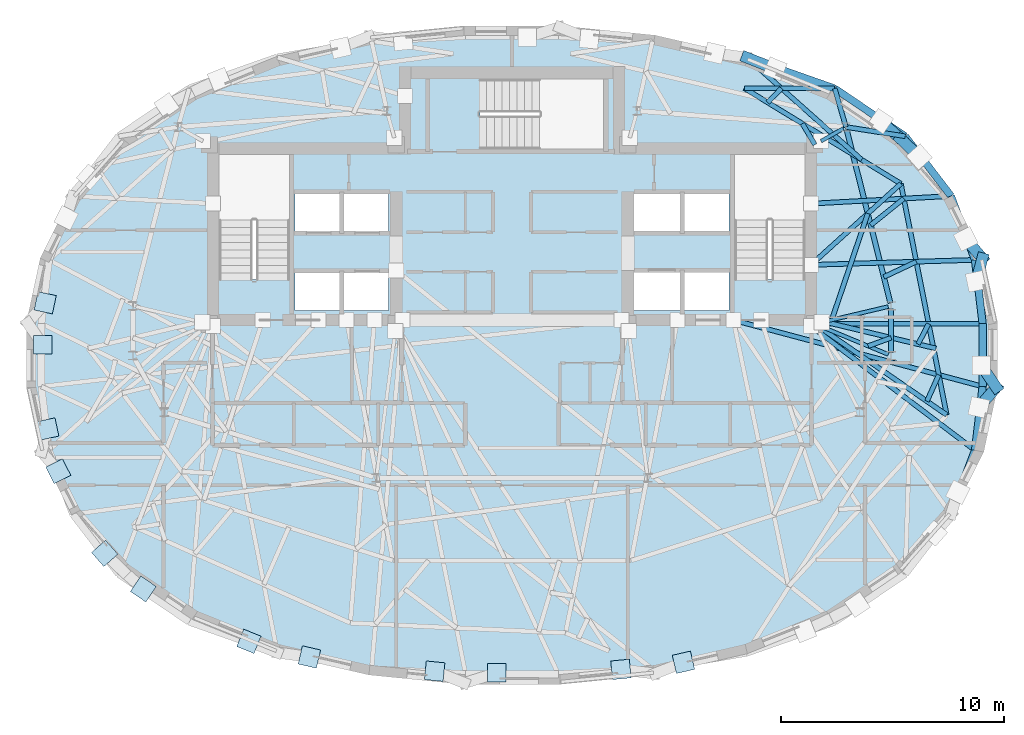
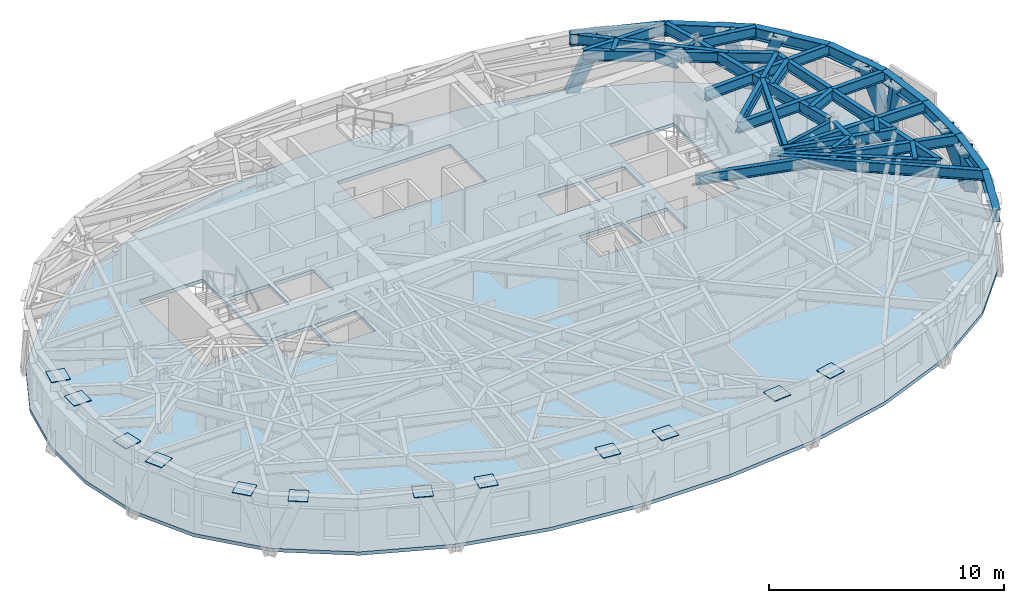
# One storey, part 4 of 13: 35 beams, 12 plates, 7 members, 1 slab.
"""IFC4 building model written with IfcOpenShell, lengths in metres."""

from ifc_helpers import new_model, si_unit, direction, frame, origin, origin_2d, place, context, subcontext, project, spatial, polyline, rectangle, hollow_rectangle, i_section, outline, extrude, material, layer, layer_set, material_profile, profile_set, type_object, element, save


model = new_model("IFC4")

# Units and contexts
model_context = context("Model", 3, precision=1e-05, world=origin(), true_north=direction((0.0, 1.0)))
body_context = subcontext(model_context, "Body", "Model", "MODEL_VIEW")
ifc_project = project(units=[si_unit("LENGTHUNIT", "METRE"), si_unit("AREAUNIT", "SQUARE_METRE"), si_unit("VOLUMEUNIT", "CUBIC_METRE"), si_unit("PLANEANGLEUNIT", "RADIAN"), si_unit("MASSUNIT", "GRAM", prefix="KILO")], contexts=[model_context])

# Site, building, storey
site_placement = place(None, origin())
site = spatial("IfcSite", under=ifc_project, at=site_placement, CompositionType="ELEMENT")
building_placement = place(site_placement, origin())
building = spatial("IfcBuilding", under=site, at=building_placement, Name="Keldmark Tower", CompositionType="ELEMENT")
storey_placement = place(building_placement, frame((0.0, 0.0, 244.64990234375)))
storey = spatial("IfcBuildingStorey", under=building, at=storey_placement, Name="L69", CompositionType="ELEMENT", Elevation=244.64990234375)

# Members
ifc_material_1 = material(Name="Steel ASTM A572 Grade 50", Category="steel")
ifc_material_profile_1 = material_profile(ifc_material_1, hollow_rectangle(XDim=0.5, YDim=0.5, WallThickness=0.030029296875, at=origin_2d()), Name="BOX500X500X30")
ifc_profile_set_1 = profile_set([ifc_material_profile_1], Name="Steel ASTM A572 Grade 50")
member_type = type_object("IfcMemberType", Name="Diagrid Upper Brace BOX500X500X30", PredefinedType="BRACE", material=ifc_profile_set_1)
member_1_placement = place(storey_placement, frame((21.124755859375, 4.351806640625, -0.260009765625), z_axis=(-0.084668703009, -0.315003193928, 0.945306404583), x_axis=(0.965723305221, -0.259573684631, 0.0)))
element("IfcMember", 1, at=member_1_placement, inside=storey, type_object=member_type, Name="L69 Perimeter Diagrid Brace 01A", PredefinedType="BRACE", context=body_context, shape_type="SweptSolid", body=[
    extrude(hollow_rectangle(XDim=0.5, YDim=0.5, WallThickness=0.030029296875, at=origin_2d()), origin(), (0.0, 0.0, 1.0), 3.2900390625),
])
member_2_placement = place(storey_placement, frame((21.127197265625, 4.340087890625, -0.260009765625), z_axis=(-0.226822598009, 0.263767745381, 0.937538311499), x_axis=(-0.758210296227, -0.652010081744, 0.0)))
element("IfcMember", 2, at=member_2_placement, inside=storey, type_object=member_type, Name="L69 Perimeter Diagrid Brace 01B", PredefinedType="BRACE", context=body_context, shape_type="SweptSolid", body=[
    extrude(hollow_rectangle(XDim=0.5, YDim=0.5, WallThickness=0.030029296875, at=origin_2d()), origin(), (0.0, 0.0, 1.0), 3.3173828125),
])
member_3_placement = place(storey_placement, frame((17.451904296875, 9.713134765625, -0.260009765625), z_axis=(0.252429244839, -0.24368169675, 0.93642869831), x_axis=(0.694530948393, 0.719462828591, 0.0)))
element("IfcMember", 3, at=member_3_placement, inside=storey, type_object=member_type, Name="L69 Perimeter Diagrid Brace 02A", PredefinedType="BRACE", context=body_context, shape_type="SweptSolid", body=[
    extrude(hollow_rectangle(XDim=0.5, YDim=0.5, WallThickness=0.030029296875, at=origin_2d()), origin(), (0.0, 0.0, 1.0), 3.3212890625),
])
member_4_placement = place(storey_placement, frame((17.45849609375, 9.703369140625, -0.260009765625), z_axis=(-0.27050892208, 0.239842461487, 0.932362867527), x_axis=(-0.663420882061, -0.748246438846, 0.0)))
element("IfcMember", 4, at=member_4_placement, inside=storey, type_object=member_type, Name="L69 Perimeter Diagrid Brace 02B", PredefinedType="BRACE", context=body_context, shape_type="SweptSolid", body=[
    extrude(hollow_rectangle(XDim=0.5, YDim=0.5, WallThickness=0.030029296875, at=origin_2d()), origin(), (0.0, 0.0, 1.0), 3.335693359375),
])
member_5_placement = place(storey_placement, frame((10.53173828125, 13.36279296875, -0.260009765625), z_axis=(0.377697219119, -0.148998504104, 0.913862274331), x_axis=(0.366969412837, 0.930233008467, 0.0)))
element("IfcMember", 5, at=member_5_placement, inside=storey, type_object=member_type, Name="L69 Perimeter Diagrid Brace 03A", PredefinedType="BRACE", context=body_context, shape_type="SweptSolid", body=[
    extrude(hollow_rectangle(XDim=0.5, YDim=0.5, WallThickness=0.030029296875, at=origin_2d()), origin(), (0.0, 0.0, 1.0), 3.4033203125),
])
member_6_placement = place(storey_placement, frame((21.751953125, -1.439208984375, -0.260009765625), z_axis=(-0.236657823038, -0.272818962717, 0.932503559445), x_axis=(0.755394757937, -0.655269989914, 0.0)))
element("IfcMember", 6, at=member_6_placement, inside=storey, type_object=member_type, Name="L69 Perimeter Diagrid Brace 16A", PredefinedType="BRACE", context=body_context, shape_type="SweptSolid", body=[
    extrude(hollow_rectangle(XDim=0.5, YDim=0.5, WallThickness=0.030029296875, at=origin_2d()), origin(), (0.0, 0.0, 1.0), 3.335205078125),
])
member_7_placement = place(storey_placement, frame((21.74951171875, -1.45068359375, -0.260009765625), z_axis=(-0.202538221904, 0.295966670865, 0.933478440246), x_axis=(-0.825262153266, -0.564749836996, 0.0)))
element("IfcMember", 7, at=member_7_placement, inside=storey, type_object=member_type, Name="L69 Perimeter Diagrid Brace 16B", PredefinedType="BRACE", context=body_context, shape_type="SweptSolid", body=[
    extrude(hollow_rectangle(XDim=0.5, YDim=0.5, WallThickness=0.030029296875, at=origin_2d()), origin(), (0.0, 0.0, 1.0), 3.331787109375),
])

# Beams
ifc_material_2 = material(Name="Steel ASTM A992 Grade 50", Category="steel")
ifc_material_profile_2 = material_profile(ifc_material_2, i_section(OverallWidth=0.22802734375, OverallDepth=0.60302734375, WebThickness=0.010498046875, FlangeThickness=0.014892578125, at=origin_2d()), Name="W24X68")
ifc_profile_set_2 = profile_set([ifc_material_profile_2], Name="Steel ASTM A992 Grade 50")
beam_type_1 = type_object("IfcBeamType", Name="Primary Floor Girder W24X68", PredefinedType="BEAM", material=ifc_profile_set_2)
beam_1_placement = place(storey_placement, frame((16.9912109375, 2.34375, 2.668701171875), z_axis=(-0.244902129455, 0.969547805417, 0.0), x_axis=(-0.969547805417, -0.244902129455, 0.0)))
element("IfcBeam", 8, at=beam_1_placement, inside=storey, type_object=beam_type_1, Name="L69 Floor Ring Girder FG-R01", PredefinedType="BEAM", context=body_context, shape_type="SweptSolid", body=[
    extrude(i_section(OverallWidth=0.22802734375, OverallDepth=0.60302734375, WebThickness=0.010498046875, FlangeThickness=0.014892578125, at=origin_2d()), origin(), (0.0, 0.0, 1.0), 8.008056640625),
])
beam_2_placement = place(storey_placement, frame((17.025634765625, 0.115966796875, 2.668701171875), z_axis=(0.0, 1.0, 0.0), x_axis=(-1.0, 0.0, 0.0)))
element("IfcBeam", 9, at=beam_2_placement, inside=storey, type_object=beam_type_1, Name="L69 Floor Ring Girder FG-R12", PredefinedType="BEAM", context=body_context, shape_type="SweptSolid", body=[
    extrude(i_section(OverallWidth=0.22802734375, OverallDepth=0.60302734375, WebThickness=0.010498046875, FlangeThickness=0.014892578125, at=origin_2d()), origin(), (0.0, 0.0, 1.0), 1.9521484375),
])
ifc_material_3 = material(Name="Steel ASTM A992 Grade 50", Category="steel")
ifc_material_profile_3 = material_profile(ifc_material_3, i_section(OverallWidth=0.166015625, OverallDepth=0.529052734375, WebThickness=0.009765625, FlangeThickness=0.013671875, at=origin_2d()), Name="W21X50")
ifc_profile_set_3 = profile_set([ifc_material_profile_3], Name="Steel ASTM A992 Grade 50")
beam_type_2 = type_object("IfcBeamType", Name="Radial Tie Girder W21X50", PredefinedType="BEAM", material=ifc_profile_set_3)
beam_3_placement = place(storey_placement, frame((16.889404296875, 2.17578125, 2.70556640625), z_axis=(-0.97329039005, -0.229577474147, 0.0), x_axis=(0.229577474147, -0.97329039005, 0.0)))
element("IfcBeam", 10, at=beam_3_placement, inside=storey, type_object=beam_type_2, Name="L69 Floor Radial Girder FG-C01", PredefinedType="BEAM", context=body_context, shape_type="SweptSolid", body=[
    extrude(i_section(OverallWidth=0.166015625, OverallDepth=0.529052734375, WebThickness=0.009765625, FlangeThickness=0.013671875, at=origin_2d()), origin(), (0.0, 0.0, 1.0), 3.0595703125),
])
beam_4_placement = place(storey_placement, frame((14.8740234375, 10.174560546875, 2.70556640625), z_axis=(-0.869238046195, -0.494393789451, 0.0), x_axis=(0.494393789451, -0.869238046195, 0.0)))
element("IfcBeam", 11, at=beam_4_placement, inside=storey, type_object=beam_type_2, Name="L69 Floor Radial Girder FG-C02", PredefinedType="BEAM", context=body_context, shape_type="SweptSolid", body=[
    extrude(i_section(OverallWidth=0.166015625, OverallDepth=0.529052734375, WebThickness=0.009765625, FlangeThickness=0.013671875, at=origin_2d()), origin(), (0.0, 0.0, 1.0), 1.145751953125),
])
beam_5_placement = place(storey_placement, frame((16.896240234375, 0.02978515625, 2.70556640625), z_axis=(-0.923403331902, 0.383831065226, 0.0), x_axis=(-0.383831065226, -0.923403331902, 0.0)))
element("IfcBeam", 12, at=beam_5_placement, inside=storey, type_object=beam_type_2, Name="L69 Floor Radial Girder FG-C12", PredefinedType="BEAM", context=body_context, shape_type="SweptSolid", body=[
    extrude(i_section(OverallWidth=0.166015625, OverallDepth=0.529052734375, WebThickness=0.009765625, FlangeThickness=0.013671875, at=origin_2d()), origin(), (0.0, 0.0, 1.0), 3.249755859375),
])
ifc_material_4 = material(Name="Steel ASTM A992 Grade 50", Category="steel")
ifc_material_profile_4 = material_profile(ifc_material_4, i_section(OverallWidth=0.2099609375, OverallDepth=0.537109375, WebThickness=0.010986328125, FlangeThickness=0.017333984375, at=origin_2d()), Name="W21X68")
ifc_profile_set_4 = profile_set([ifc_material_profile_4], Name="Steel ASTM A992 Grade 50")
beam_type_3 = type_object("IfcBeamType", Name="Radial Tie Girder W21X68", PredefinedType="BEAM", material=ifc_profile_set_4)
beam_6_placement = place(storey_placement, frame((15.99609375, 0.40380859375, 2.70166015625), z_axis=(0.939324284721, 0.343030447823, 0.0), x_axis=(-0.343030447823, 0.939324284721, 0.0)))
element("IfcBeam", 13, at=beam_6_placement, inside=storey, type_object=beam_type_3, Name="L69 Framing Pin Header PH-006", PredefinedType="BEAM", context=body_context, shape_type="SweptSolid", body=[
    extrude(i_section(OverallWidth=0.2099609375, OverallDepth=0.537109375, WebThickness=0.010986328125, FlangeThickness=0.017333984375, at=origin_2d()), origin(), (0.0, 0.0, 1.0), 1.095947265625),
])
beam_7_placement = place(storey_placement, frame((13.699951171875, 1.574951171875, 2.70166015625), z_axis=(0.972599025108, -0.232489002661, 0.0), x_axis=(0.232489002661, 0.972599025108, 0.0)))
element("IfcBeam", 14, at=beam_7_placement, inside=storey, type_object=beam_type_3, Name="L69 Sub-Ring Step Girder STP1-M12", PredefinedType="BEAM", context=body_context, shape_type="SweptSolid", body=[
    extrude(i_section(OverallWidth=0.2099609375, OverallDepth=0.537109375, WebThickness=0.010986328125, FlangeThickness=0.017333984375, at=origin_2d()), origin(), (0.0, 0.0, 1.0), 5.48486328125),
])
beam_8_placement = place(storey_placement, frame((14.358154296875, 1.578857421875, 2.70166015625), z_axis=(0.320956156669, 0.947094053142, 0.0), x_axis=(-0.947094053142, 0.320956156669, 0.0)))
element("IfcBeam", 15, at=beam_8_placement, inside=storey, type_object=beam_type_3, Name="L69 Framing Pin Header PH-007", PredefinedType="BEAM", context=body_context, shape_type="SweptSolid", body=[
    extrude(i_section(OverallWidth=0.2099609375, OverallDepth=0.537109375, WebThickness=0.010986328125, FlangeThickness=0.017333984375, at=origin_2d()), origin(), (0.0, 0.0, 1.0), 5.04541015625),
])
beam_9_placement = place(storey_placement, frame((13.425048828125, 4.050048828125, 2.70166015625), z_axis=(0.7418333286, 0.670584306838, 0.0), x_axis=(-0.670584306838, 0.7418333286, 0.0)))
element("IfcBeam", 16, at=beam_9_placement, inside=storey, type_object=beam_type_3, Name="L69 Sub-Ring Step Girder STP2-M01", PredefinedType="BEAM", context=body_context, shape_type="SweptSolid", body=[
    extrude(i_section(OverallWidth=0.2099609375, OverallDepth=0.537109375, WebThickness=0.010986328125, FlangeThickness=0.017333984375, at=origin_2d()), origin(), (0.0, 0.0, 1.0), 5.44140625),
])
beam_10_placement = place(storey_placement, frame((13.60009765625, 1.39990234375, 2.70166015625), z_axis=(0.823068376752, -0.56794229213, 0.0), x_axis=(0.56794229213, 0.823068376752, 0.0)))
element("IfcBeam", 17, at=beam_10_placement, inside=storey, type_object=beam_type_3, Name="L69 Sub-Ring Step Girder STP2-M12", PredefinedType="BEAM", context=body_context, shape_type="SweptSolid", body=[
    extrude(i_section(OverallWidth=0.2099609375, OverallDepth=0.537109375, WebThickness=0.010986328125, FlangeThickness=0.017333984375, at=origin_2d()), origin(), (0.0, 0.0, 1.0), 7.1943359375),
])
beam_11_placement = place(storey_placement, frame((19.521484375, -2.68603515625, 2.70166015625), z_axis=(-0.194554920485, 0.980891626488, 0.0), x_axis=(-0.980891626488, -0.194554920485, 0.0)))
element("IfcBeam", 18, at=beam_11_placement, inside=storey, type_object=beam_type_3, Name="L69 Perimeter Collector Ring Beam CRG2-M12", PredefinedType="BEAM", context=body_context, shape_type="SweptSolid", body=[
    extrude(i_section(OverallWidth=0.2099609375, OverallDepth=0.537109375, WebThickness=0.010986328125, FlangeThickness=0.017333984375, at=origin_2d()), origin(), (0.0, 0.0, 1.0), 10.58740234375),
])
beam_12_placement = place(storey_placement, frame((18.234130859375, 0.490966796875, 2.70166015625), z_axis=(0.460310263525, 0.887758109675, 0.0), x_axis=(-0.887758109675, 0.460310263525, 0.0)))
element("IfcBeam", 19, at=beam_12_placement, inside=storey, type_object=beam_type_3, Name="L69 Framing Pin Header PH-013", PredefinedType="BEAM", context=body_context, shape_type="SweptSolid", body=[
    extrude(i_section(OverallWidth=0.2099609375, OverallDepth=0.537109375, WebThickness=0.010986328125, FlangeThickness=0.017333984375, at=origin_2d()), origin(), (0.0, 0.0, 1.0), 1.03271484375),
])
beam_13_placement = place(storey_placement, frame((13.60009765625, 1.39990234375, 2.70166015625), z_axis=(0.999998840302, 0.001522956012, 0.0), x_axis=(-0.001522956012, 0.999998840302, 0.0)))
element("IfcBeam", 20, at=beam_13_placement, inside=storey, type_object=beam_type_3, Name="L69 Perimeter Radial Tie Girder RT-01", PredefinedType="BEAM", context=body_context, shape_type="SweptSolid", body=[
    extrude(i_section(OverallWidth=0.2099609375, OverallDepth=0.537109375, WebThickness=0.010986328125, FlangeThickness=0.017333984375, at=origin_2d()), origin(), (0.0, 0.0, 1.0), 7.534423828125),
])
beam_14_placement = place(storey_placement, frame((16.697021484375, 3.50830078125, 2.70166015625), z_axis=(0.90477067603, 0.425899077007, 0.0), x_axis=(-0.425899077007, 0.90477067603, 0.0)))
element("IfcBeam", 21, at=beam_14_placement, inside=storey, type_object=beam_type_3, Name="L69 Framing Pin Header PH-014", PredefinedType="BEAM", context=body_context, shape_type="SweptSolid", body=[
    extrude(i_section(OverallWidth=0.2099609375, OverallDepth=0.537109375, WebThickness=0.010986328125, FlangeThickness=0.017333984375, at=origin_2d()), origin(), (0.0, 0.0, 1.0), 1.613037109375),
])
beam_15_placement = place(storey_placement, frame((13.425048828125, 4.050048828125, 2.70166015625), z_axis=(0.999528387644, 0.030708342404, 0.0), x_axis=(-0.030708342404, 0.999528387644, 0.0)))
element("IfcBeam", 22, at=beam_15_placement, inside=storey, type_object=beam_type_3, Name="L69 Perimeter Radial Tie Girder RT-02", PredefinedType="BEAM", context=body_context, shape_type="SweptSolid", body=[
    extrude(i_section(OverallWidth=0.2099609375, OverallDepth=0.537109375, WebThickness=0.010986328125, FlangeThickness=0.017333984375, at=origin_2d()), origin(), (0.0, 0.0, 1.0), 7.369873046875),
])
beam_16_placement = place(storey_placement, frame((16.10888671875, 5.837646484375, 2.70166015625), z_axis=(0.78024293518, 0.625476587972, 0.0), x_axis=(-0.625476587972, 0.78024293518, 0.0)))
element("IfcBeam", 23, at=beam_16_placement, inside=storey, type_object=beam_type_3, Name="L69 Framing Pin Header PH-015", PredefinedType="BEAM", context=body_context, shape_type="SweptSolid", body=[
    extrude(i_section(OverallWidth=0.2099609375, OverallDepth=0.537109375, WebThickness=0.010986328125, FlangeThickness=0.017333984375, at=origin_2d()), origin(), (0.0, 0.0, 1.0), 1.904052734375),
])
beam_17_placement = place(storey_placement, frame((13.425048828125, 6.800048828125, 2.70166015625), z_axis=(0.99850299349, 0.05469709309, 0.0), x_axis=(-0.05469709309, 0.99850299349, 0.0)))
element("IfcBeam", 24, at=beam_17_placement, inside=storey, type_object=beam_type_3, Name="L69 Perimeter Radial Tie Girder RT-03", PredefinedType="BEAM", context=body_context, shape_type="SweptSolid", body=[
    extrude(i_section(OverallWidth=0.2099609375, OverallDepth=0.537109375, WebThickness=0.010986328125, FlangeThickness=0.017333984375, at=origin_2d()), origin(), (0.0, 0.0, 1.0), 6.298095703125),
])
beam_18_placement = place(storey_placement, frame((14.995849609375, 10.24365234375, 2.70166015625), z_axis=(0.987913814806, -0.155004175803, 0.0), x_axis=(0.155004175803, 0.987913814806, 0.0)))
element("IfcBeam", 25, at=beam_18_placement, inside=storey, type_object=beam_type_3, Name="L69 Perimeter Column Bracket RT-04", PredefinedType="BEAM", context=body_context, shape_type="SweptSolid", body=[
    extrude(i_section(OverallWidth=0.2099609375, OverallDepth=0.537109375, WebThickness=0.010986328125, FlangeThickness=0.017333984375, at=origin_2d()), origin(), (0.0, 0.0, 1.0), 2.69482421875),
])
beam_19_placement = place(storey_placement, frame((14.995849609375, 10.24365234375, 2.70166015625), z_axis=(-0.279890698496, 0.960031872854, 0.0), x_axis=(-0.960031872854, -0.279890698496, 0.0)))
element("IfcBeam", 26, at=beam_19_placement, inside=storey, type_object=beam_type_3, Name="L69 Perimeter Column Bracket RT-05", PredefinedType="BEAM", context=body_context, shape_type="SweptSolid", body=[
    extrude(i_section(OverallWidth=0.2099609375, OverallDepth=0.537109375, WebThickness=0.010986328125, FlangeThickness=0.017333984375, at=origin_2d()), origin(), (0.0, 0.0, 1.0), 1.80126953125),
])
beam_20_placement = place(storey_placement, frame((13.60009765625, 9.449951171875, 2.70166015625), z_axis=(-0.510174043125, 0.860071186427, 0.0), x_axis=(-0.860071186427, -0.510174043125, 0.0)))
element("IfcBeam", 27, at=beam_20_placement, inside=storey, type_object=beam_type_3, Name="L69 Framing Pin Header PH-016", PredefinedType="BEAM", context=body_context, shape_type="SweptSolid", body=[
    extrude(i_section(OverallWidth=0.2099609375, OverallDepth=0.537109375, WebThickness=0.010986328125, FlangeThickness=0.017333984375, at=origin_2d()), origin(), (0.0, 0.0, 1.0), 1.09814453125),
])
beam_21_placement = place(storey_placement, frame((17.461669921875, 7.698974609375, 2.70166015625), z_axis=(-0.853840529387, 0.5205346774, 0.0), x_axis=(-0.5205346774, -0.853840529387, 0.0)))
element("IfcBeam", 28, at=beam_21_placement, inside=storey, type_object=beam_type_3, Name="L69 Intermediate Radial Step Girder RT-06M", PredefinedType="BEAM", context=body_context, shape_type="SweptSolid", body=[
    extrude(i_section(OverallWidth=0.2099609375, OverallDepth=0.537109375, WebThickness=0.010986328125, FlangeThickness=0.017333984375, at=origin_2d()), origin(), (0.0, 0.0, 1.0), 8.234619140625),
])
beam_22_placement = place(storey_placement, frame((14.49169921875, 11.972900390625, 2.70166015625), z_axis=(-0.999995299826, 0.003065994968, 0.0), x_axis=(-0.003065994968, -0.999995299826, 0.0)))
element("IfcBeam", 29, at=beam_22_placement, inside=storey, type_object=beam_type_3, Name="L69 Local Collector Chord RT-06C", PredefinedType="BEAM", context=body_context, shape_type="SweptSolid", body=[
    extrude(i_section(OverallWidth=0.2099609375, OverallDepth=0.537109375, WebThickness=0.010986328125, FlangeThickness=0.017333984375, at=origin_2d()), origin(), (0.0, 0.0, 1.0), 4.06103515625),
])
beam_23_placement = place(storey_placement, frame((11.4853515625, 11.34228515625, 2.70166015625), z_axis=(0.691310538976, 0.722557775338, 0.0), x_axis=(-0.722557775338, 0.691310538976, 0.0)))
element("IfcBeam", 30, at=beam_23_placement, inside=storey, type_object=beam_type_3, Name="L69 Framing Pin Header PH-017", PredefinedType="BEAM", context=body_context, shape_type="SweptSolid", body=[
    extrude(i_section(OverallWidth=0.2099609375, OverallDepth=0.537109375, WebThickness=0.010986328125, FlangeThickness=0.017333984375, at=origin_2d()), origin(), (0.0, 0.0, 1.0), 0.8828125),
])
beam_24_placement = place(storey_placement, frame((15.703857421875, 8.7705078125, 2.70166015625), z_axis=(-0.74715604357, 0.664648664, 0.0), x_axis=(-0.664648664, -0.74715604357, 0.0)))
element("IfcBeam", 31, at=beam_24_placement, inside=storey, type_object=beam_type_3, Name="L69 Perimeter Radial Tie Girder RT-06", PredefinedType="BEAM", context=body_context, shape_type="SweptSolid", body=[
    extrude(i_section(OverallWidth=0.2099609375, OverallDepth=0.537109375, WebThickness=0.010986328125, FlangeThickness=0.017333984375, at=origin_2d()), origin(), (0.0, 0.0, 1.0), 6.915283203125),
])
beam_25_placement = place(storey_placement, frame((13.425048828125, 1.300048828125, 2.70166015625), z_axis=(0.797312557838, -0.603566636847, 0.0), x_axis=(0.603566636847, 0.797312557838, 0.0)))
element("IfcBeam", 32, at=beam_25_placement, inside=storey, type_object=beam_type_3, Name="L69 Perimeter Radial Tie Girder RT-31", PredefinedType="BEAM", context=body_context, shape_type="SweptSolid", body=[
    extrude(i_section(OverallWidth=0.2099609375, OverallDepth=0.537109375, WebThickness=0.010986328125, FlangeThickness=0.017333984375, at=origin_2d()), origin(), (0.0, 0.0, 1.0), 9.239013671875),
])
beam_26_placement = place(storey_placement, frame((18.63330078125, -2.0732421875, 2.70166015625), z_axis=(0.408279620613, 0.912856917261, 0.0), x_axis=(-0.912856917261, 0.408279620613, 0.0)))
element("IfcBeam", 33, at=beam_26_placement, inside=storey, type_object=beam_type_3, Name="L69 Framing Pin Header PH-035", PredefinedType="BEAM", context=body_context, shape_type="SweptSolid", body=[
    extrude(i_section(OverallWidth=0.2099609375, OverallDepth=0.537109375, WebThickness=0.010986328125, FlangeThickness=0.017333984375, at=origin_2d()), origin(), (0.0, 0.0, 1.0), 1.300537109375),
])
beam_27_placement = place(storey_placement, frame((9.939208984375, 1.574951171875, 2.70166015625), z_axis=(0.966215352479, -0.257736091057, 0.0), x_axis=(0.257736091057, 0.966215352479, 0.0)))
element("IfcBeam", 34, at=beam_27_placement, inside=storey, type_object=beam_type_3, Name="L69 Perimeter Radial Tie Girder RT-32", PredefinedType="BEAM", context=body_context, shape_type="SweptSolid", body=[
    extrude(i_section(OverallWidth=0.2099609375, OverallDepth=0.537109375, WebThickness=0.010986328125, FlangeThickness=0.017333984375, at=origin_2d()), origin(), (0.0, 0.0, 1.0), 11.586669921875),
])
ifc_material_5 = material(Name="Steel ASTM A992 Grade 50", Category="steel")
ifc_material_profile_5 = material_profile(ifc_material_5, i_section(OverallWidth=0.326904296875, OverallDepth=0.6220703125, WebThickness=0.015380859375, FlangeThickness=0.0244140625, at=origin_2d()), Name="W24X131")
ifc_profile_set_5 = profile_set([ifc_material_profile_5], Name="Steel ASTM A992 Grade 50")
beam_type_4 = type_object("IfcBeamType", Name="Spandrel Ring Beam W24X131", PredefinedType="SPANDREL", material=ifc_profile_set_5)
beam_28_placement = place(storey_placement, frame((21.134521484375, 1.411376953125, 2.6591796875), z_axis=(-0.118878304978, 0.992908831971, 0.0), x_axis=(-0.992908831971, -0.118878304978, 0.0)))
element("IfcBeam", 35, at=beam_28_placement, inside=storey, type_object=beam_type_4, Name="L69 Perimeter Spandrel Ring Beam SRB-01", PredefinedType="SPANDREL", context=body_context, shape_type="SweptSolid", body=[
    extrude(i_section(OverallWidth=0.326904296875, OverallDepth=0.6220703125, WebThickness=0.015380859375, FlangeThickness=0.0244140625, at=origin_2d()), origin(), (0.0, 0.0, 1.0), 2.885498046875),
])
beam_29_placement = place(storey_placement, frame((20.79150390625, 4.2763671875, 2.6591796875), z_axis=(-0.351786989162, 0.936080078976, 0.0), x_axis=(-0.936080078976, -0.351786989162, 0.0)))
element("IfcBeam", 36, at=beam_29_placement, inside=storey, type_object=beam_type_4, Name="L69 Perimeter Spandrel Ring Beam SRB-02", PredefinedType="SPANDREL", context=body_context, shape_type="SweptSolid", body=[
    extrude(i_section(OverallWidth=0.326904296875, OverallDepth=0.6220703125, WebThickness=0.015380859375, FlangeThickness=0.0244140625, at=origin_2d()), origin(), (0.0, 0.0, 1.0), 3.06396484375),
])
beam_30_placement = place(storey_placement, frame((19.713623046875, 7.14453125, 2.6591796875), z_axis=(-0.608372377274, 0.793651718684, 0.0), x_axis=(-0.793651718684, -0.608372377274, 0.0)))
element("IfcBeam", 37, at=beam_30_placement, inside=storey, type_object=beam_type_4, Name="L69 Perimeter Spandrel Ring Beam SRB-03", PredefinedType="SPANDREL", context=body_context, shape_type="SweptSolid", body=[
    extrude(i_section(OverallWidth=0.326904296875, OverallDepth=0.6220703125, WebThickness=0.015380859375, FlangeThickness=0.0244140625, at=origin_2d()), origin(), (0.0, 0.0, 1.0), 3.378662109375),
])
beam_31_placement = place(storey_placement, frame((17.658203125, 9.825927734375, 2.6591796875), z_axis=(-0.827685387822, 0.56119239017, 0.0), x_axis=(-0.56119239017, -0.827685387822, 0.0)))
element("IfcBeam", 38, at=beam_31_placement, inside=storey, type_object=beam_type_4, Name="L69 Perimeter Spandrel Ring Beam SRB-04", PredefinedType="SPANDREL", context=body_context, shape_type="SweptSolid", body=[
    extrude(i_section(OverallWidth=0.326904296875, OverallDepth=0.6220703125, WebThickness=0.015380859375, FlangeThickness=0.0244140625, at=origin_2d()), origin(), (0.0, 0.0, 1.0), 3.82568359375),
])
beam_32_placement = place(storey_placement, frame((14.49169921875, 11.972900390625, 2.6591796875), z_axis=(-0.943135359609, 0.332408925053, 0.0), x_axis=(-0.332408925053, -0.943135359609, 0.0)))
element("IfcBeam", 39, at=beam_32_placement, inside=storey, type_object=beam_type_4, Name="L69 Perimeter Spandrel Ring Beam SRB-05", PredefinedType="SPANDREL", context=body_context, shape_type="SweptSolid", body=[
    extrude(i_section(OverallWidth=0.326904296875, OverallDepth=0.6220703125, WebThickness=0.015380859375, FlangeThickness=0.0244140625, at=origin_2d()), origin(), (0.0, 0.0, 1.0), 4.193115234375),
])
beam_33_placement = place(storey_placement, frame((19.713623046875, -7.14453125, 2.6591796875), z_axis=(0.351786989162, 0.936080078976, 0.0), x_axis=(-0.936080078976, 0.351786989162, 0.0)))
element("IfcBeam", 40, at=beam_33_placement, inside=storey, type_object=beam_type_4, Name="L69 Perimeter Spandrel Ring Beam SRB-30", PredefinedType="SPANDREL", context=body_context, shape_type="SweptSolid", body=[
    extrude(i_section(OverallWidth=0.326904296875, OverallDepth=0.6220703125, WebThickness=0.015380859375, FlangeThickness=0.0244140625, at=origin_2d()), origin(), (0.0, 0.0, 1.0), 3.06396484375),
])
beam_34_placement = place(storey_placement, frame((20.79150390625, -4.2763671875, 2.6591796875), z_axis=(0.118878304978, 0.992908831971, 0.0), x_axis=(-0.992908831971, 0.118878304978, 0.0)))
element("IfcBeam", 41, at=beam_34_placement, inside=storey, type_object=beam_type_4, Name="L69 Perimeter Spandrel Ring Beam SRB-31", PredefinedType="SPANDREL", context=body_context, shape_type="SweptSolid", body=[
    extrude(i_section(OverallWidth=0.326904296875, OverallDepth=0.6220703125, WebThickness=0.015380859375, FlangeThickness=0.0244140625, at=origin_2d()), origin(), (0.0, 0.0, 1.0), 2.885498046875),
])
beam_35_placement = place(storey_placement, frame((21.134521484375, -1.411376953125, 2.6591796875), z_axis=(0.0, 1.0, 0.0), x_axis=(-1.0, 0.0, 0.0)))
element("IfcBeam", 42, at=beam_35_placement, inside=storey, type_object=beam_type_4, Name="L69 Perimeter Spandrel Ring Beam SRB-32", PredefinedType="SPANDREL", context=body_context, shape_type="SweptSolid", body=[
    extrude(i_section(OverallWidth=0.326904296875, OverallDepth=0.6220703125, WebThickness=0.015380859375, FlangeThickness=0.0244140625, at=origin_2d()), origin(), (0.0, 0.0, 1.0), 2.82275390625),
])

# Plates
ifc_material_6 = material(Name="Steel ASTM A572 Grade 50", Category="steel")
ifc_layer_1 = layer(ifc_material_6, 0.034912109375)
ifc_layer_set_1 = layer_set([ifc_layer_1], Name="Steel ASTM A572 Grade 50")
plate_type = type_object("IfcPlateType", Name="Diagrid Node Assembly DN06 35 mm", PredefinedType="USERDEFINED", material=ifc_layer_set_1)
for number, where, z_axis, x_axis, name in (
    (43, (-20.962646484375, 2.34912109375, 2.83251953125), (0.0, 0.0, 1.0), (-0.210471759821, -0.977599937765, 0.0), "L69 Diagrid Node Assembly 15"),
    (44, (-21.07470703125, 0.464599609375, 2.83251953125), (0.0, 0.0, 1.0), (0.0, -1.0, 0.0), "L69 Diagrid Node Assembly 16"),
    (45, (-20.84619140625, -3.3154296875, 2.83251953125), (0.0, 0.0, 1.0), (0.210471759821, -0.977599937765, 0.0), "L69 Diagrid Node Assembly 17"),
    (46, (-20.374755859375, -5.215087890625, 2.83251953125), (0.0, 0.0, 1.0), (0.448539214018, -0.893763152903, 0.0), "L69 Diagrid Node Assembly 18"),
    (47, (-18.290283203125, -8.90380859375, 2.83251953125), (0.0, 0.0, 1.0), (0.661311865324, -0.75011106963, 0.0), "L69 Diagrid Node Assembly 19"),
    (48, (-16.55615234375, -10.50341796875, 2.83251953125), (0.0, 0.0, 1.0), (0.827668733006, -0.561216953062, 0.0), "L69 Diagrid Node Assembly 20"),
    (49, (-11.817138671875, -12.855712890625, 2.83251953125), (0.0, 0.0, 1.0), (0.92672549442, -0.375739082333, 0.0), "L69 Diagrid Node Assembly 21"),
    (50, (-9.098876953125, -13.557373046875, 2.83251953125), (0.0, 0.0, 1.0), (0.97440931131, -0.224780991261, 0.0), "L69 Diagrid Node Assembly 22"),
    (51, (-3.47265625, -14.195068359375, 2.83251953125), (0.0, 0.0, 1.0), (0.995124665732, -0.098625045759, 0.0), "L69 Diagrid Node Assembly 23"),
    (52, (-0.68798828125, -14.270263671875, 2.83251953125), (0.0, 0.0, 1.0), (1.0, 0.0, 0.0), "L69 Diagrid Node Assembly 24"),
    (53, (4.892578125, -14.115234375, 2.83251953125), (0.0, 0.0, 1.0), (0.995124665732, 0.098625045759, 0.0), "L69 Diagrid Node Assembly 25"),
    (54, (7.69970703125, -13.79638671875, 2.83251953125), (0.0, 0.0, 1.0), (0.97440931131, 0.224780991261, 0.0), "L69 Diagrid Node Assembly 26"),
):
    element("IfcPlate", number, at=place(storey_placement, frame(where, z_axis=z_axis, x_axis=x_axis)), inside=storey, type_object=plate_type, Name=name, ObjectType="GUSSET", PredefinedType="USERDEFINED", context=body_context, shape_type="SweptSolid", body=[
        extrude(rectangle(XDim=0.840087890625, YDim=0.840087890625, at=origin_2d()), origin(), (0.0, 0.0, 1.0), 0.034912109375),
    ])

# Slab
ifc_material_7 = material(Name="Concrete C35/45", Category="concrete")
ifc_layer_2 = layer(ifc_material_7, 0.179931640625)
ifc_layer_set_2 = layer_set([ifc_layer_2], Name="Concrete C35/45")
slab_type = type_object("IfcSlabType", Name="Hotel and Residential Slab 180 mm", PredefinedType="FLOOR", material=ifc_layer_set_2)
slab_placement = place(storey_placement, frame((0.0, 0.0, -0.179931640625)))
element("IfcSlab", 55, at=slab_placement, inside=storey, type_object=slab_type, Name="L69 Composite Structural Floor Slab", PredefinedType="FLOOR", context=body_context, shape_type="SweptSolid", body=[
    extrude(outline(polyline([(21.809326171875, 1.45654296875), (21.1845703125, 4.357666015625), (19.774658203125, 7.167236328125), (17.5048828125, 9.741455078125), (14.365966796875, 11.8701171875), (10.56982421875, 13.4091796875), (6.42626953125, 14.364990234375), (2.14794921875, 14.788818359375), (-2.14794921875, 14.788818359375), (-6.42626953125, 14.364990234375), (-10.56982421875, 13.4091796875), (-14.365966796875, 11.8701171875), (-17.5048828125, 9.741455078125), (-19.774658203125, 7.167236328125), (-21.1845703125, 4.357666015625), (-21.809326171875, 1.45654296875), (-21.809326171875, -1.45654296875), (-21.1845703125, -4.357666015625), (-19.774658203125, -7.167236328125), (-17.5048828125, -9.741455078125), (-14.365966796875, -11.8701171875), (-10.56982421875, -13.4091796875), (-6.42626953125, -14.364990234375), (-2.14794921875, -14.788818359375), (2.14794921875, -14.788818359375), (6.42626953125, -14.364990234375), (10.56982421875, -13.4091796875), (14.365966796875, -11.8701171875), (17.5048828125, -9.741455078125), (19.774658203125, -7.167236328125), (21.1845703125, -4.357666015625), (21.809326171875, -1.45654296875), (21.809326171875, 1.45654296875)]), holes=[polyline([(-10.0, 3.385009765625), (-10.0, 9.0), (-13.14990234375, 9.0), (-13.14990234375, 3.385009765625), (-10.0, 3.385009765625)]), polyline([(13.14990234375, 3.385009765625), (13.14990234375, 9.0), (10.0, 9.0), (10.0, 3.385009765625), (13.14990234375, 3.385009765625)]), polyline([(-1.43994140625, 9.25), (4.10498046875, 9.25), (4.10498046875, 12.39990234375), (-1.43994140625, 12.39990234375), (-1.43994140625, 9.25)]), polyline([(-9.75, 2.0), (-7.75, 2.0), (-7.75, 3.699951171875), (-9.75, 3.699951171875), (-9.75, 2.0)]), polyline([(7.75, 2.0), (9.75, 2.0), (9.75, 3.699951171875), (7.75, 3.699951171875), (7.75, 2.0)]), polyline([(5.449951171875, 2.0), (7.550048828125, 2.0), (7.550048828125, 3.75), (5.449951171875, 3.75), (5.449951171875, 2.0)]), polyline([(-9.75, 5.550048828125), (-7.75, 5.550048828125), (-7.75, 7.25), (-9.75, 7.25), (-9.75, 5.550048828125)]), polyline([(-7.550048828125, 5.550048828125), (-5.550048828125, 5.550048828125), (-5.550048828125, 7.25), (-7.550048828125, 7.25), (-7.550048828125, 5.550048828125)]), polyline([(-7.550048828125, 2.0), (-5.550048828125, 2.0), (-5.550048828125, 3.699951171875), (-7.550048828125, 3.699951171875), (-7.550048828125, 2.0)]), polyline([(5.449951171875, 5.550048828125), (7.550048828125, 5.550048828125), (7.550048828125, 7.25), (5.449951171875, 7.25), (5.449951171875, 5.550048828125)]), polyline([(7.75, 5.550048828125), (9.75, 5.550048828125), (9.75, 7.25), (7.75, 7.25), (7.75, 5.550048828125)])]), origin(), (0.0, 0.0, 1.0), 0.179931640625),
])

save(model, "model.ifc")
